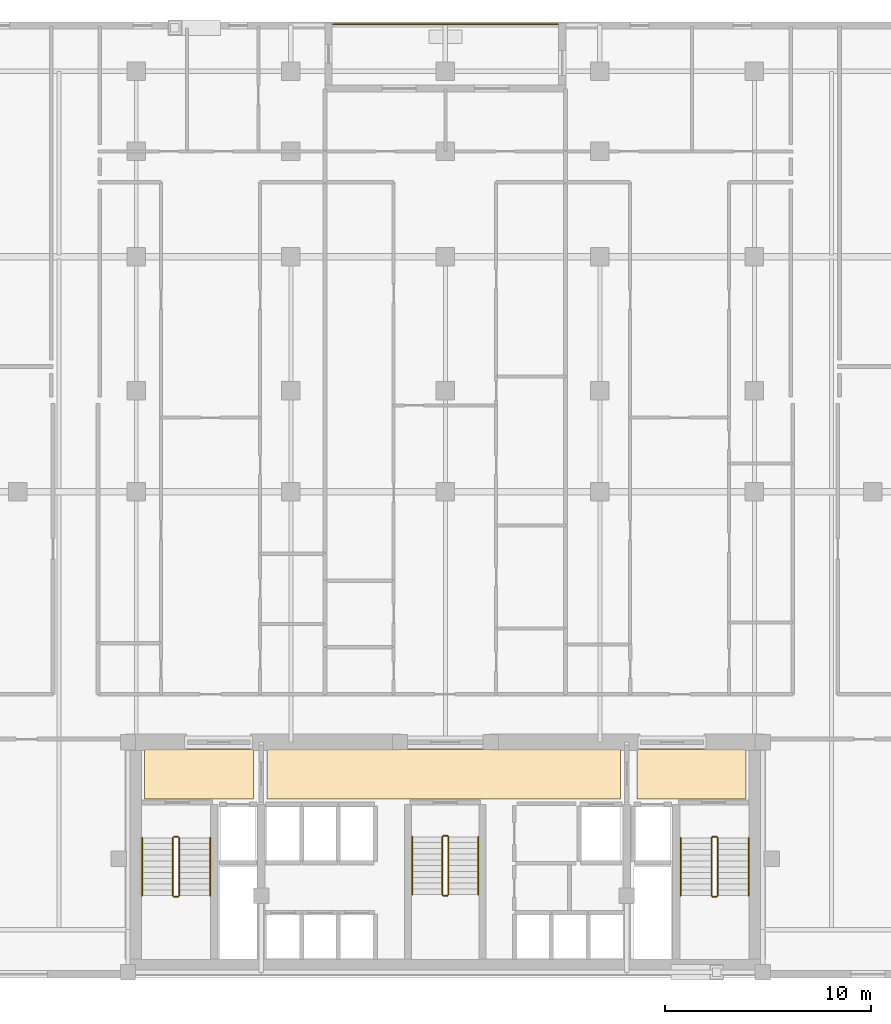
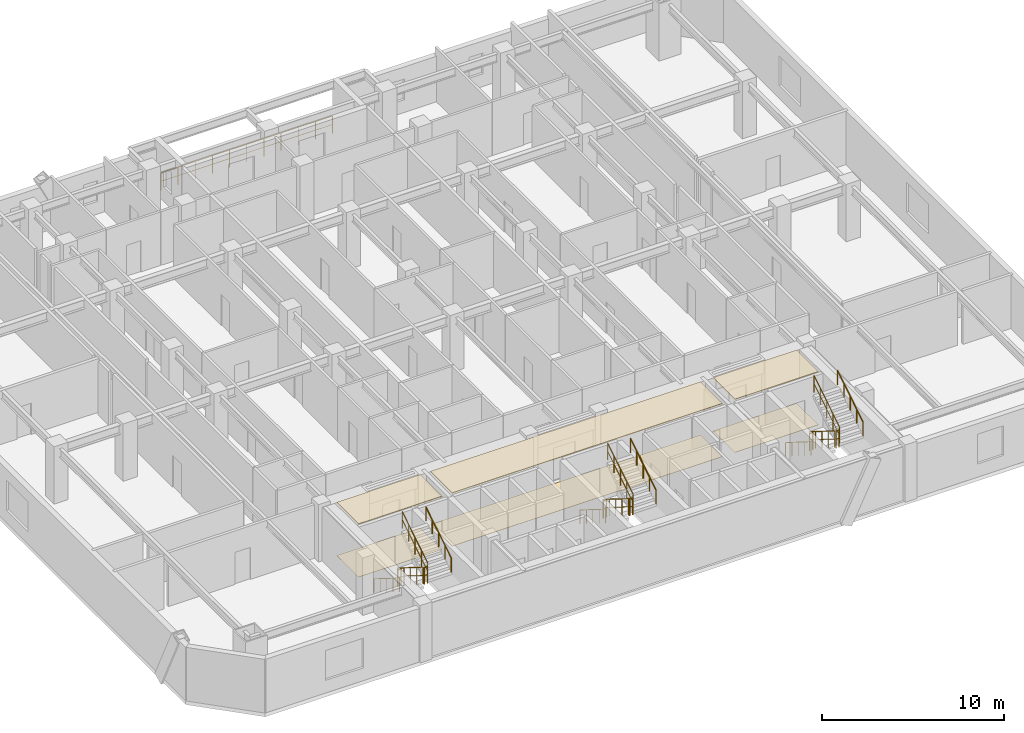
# One storey, part 9 of 9: 19 railings, 6 coverings.
"""IFC4 building model written with IfcOpenShell, lengths in metres."""

from ifc_helpers import new_model, si_unit, direction, frame, origin, origin_2d, place, context, subcontext, project, spatial, polyline, circle, outline, extrude, material, layer, layer_set, type_object, element, save


model = new_model("IFC4")

# Units and contexts
model_context = context("Model", 3, precision=1e-05, world=origin(), true_north=direction((0.0, 1.0)))
body_context = subcontext(model_context, "Body", "Model", "MODEL_VIEW")
ifc_project = project(units=[si_unit("LENGTHUNIT", "METRE"), si_unit("AREAUNIT", "SQUARE_METRE"), si_unit("VOLUMEUNIT", "CUBIC_METRE"), si_unit("PLANEANGLEUNIT", "RADIAN"), si_unit("MASSUNIT", "GRAM", prefix="KILO")], contexts=[model_context])

# Site, building, storey
site_placement = place(None, origin())
site = spatial("IfcSite", under=ifc_project, at=site_placement, CompositionType="ELEMENT")
building_placement = place(site_placement, origin())
building = spatial("IfcBuilding", under=site, at=building_placement, Name="Ventersveld Concourse Tower", CompositionType="ELEMENT")
storey_placement = place(building_placement, frame((0.0, 0.0, 52.89990234375)))
storey = spatial("IfcBuildingStorey", under=building, at=storey_placement, Name="L12", CompositionType="ELEMENT", Elevation=52.89990234375)

# Coverings
ifc_material_1 = material(Name="Mineral-fibre acoustic ceiling tile", Category="gypsum")
ifc_layer_1 = layer(ifc_material_1, 0.0400390625)
ifc_layer_set_1 = layer_set([ifc_layer_1], Name="Mineral-fibre acoustic ceiling tile")
covering_type_1 = type_object("IfcCoveringType", Name="COV-CEIL-ACOUSTIC", PredefinedType="CEILING", material=ifc_layer_set_1)
covering_1_placement = place(storey_placement, frame((0.0, 0.0, 3.56005859375)))
element("IfcCovering", 1, at=covering_1_placement, inside=storey, type_object=covering_type_1, Name="L12 North Lift Lobby Acoustic Ceiling", PredefinedType="CEILING", context=body_context, shape_type="SweptSolid", body=[
    extrude(outline(polyline([(20.10009765625, 8.699951171875), (37.25, 8.699951171875), (37.25, 11.10009765625), (20.10009765625, 11.10009765625), (20.10009765625, 8.699951171875)])), origin(), (0.0, 0.0, 1.0), 0.0400390625),
])
covering_2_placement = place(storey_placement, frame((0.0, 0.0, 3.56005859375)))
element("IfcCovering", 2, at=covering_2_placement, inside=storey, type_object=covering_type_1, Name="L12 West Firefighting Lobby Acoustic Ceiling", PredefinedType="CEILING", context=body_context, shape_type="SweptSolid", body=[
    extrude(outline(polyline([(14.14990234375, 8.699951171875), (19.449951171875, 8.699951171875), (19.449951171875, 11.10009765625), (14.14990234375, 11.10009765625), (14.14990234375, 8.699951171875)])), origin(), (0.0, 0.0, 1.0), 0.0400390625),
])
covering_3_placement = place(storey_placement, frame((0.0, 0.0, 3.56005859375)))
element("IfcCovering", 3, at=covering_3_placement, inside=storey, type_object=covering_type_1, Name="L12 East Firefighting Lobby Acoustic Ceiling", PredefinedType="CEILING", context=body_context, shape_type="SweptSolid", body=[
    extrude(outline(polyline([(38.050048828125, 8.699951171875), (43.35009765625, 8.699951171875), (43.35009765625, 11.10009765625), (38.050048828125, 11.10009765625), (38.050048828125, 8.699951171875)])), origin(), (0.0, 0.0, 1.0), 0.0400390625),
])
ifc_material_2 = material(Name="Polished Highveld granite terrazzo", Category="masonry")
ifc_layer_2 = layer(ifc_material_2, 0.02001953125)
ifc_layer_set_2 = layer_set([ifc_layer_2], Name="Polished Highveld granite terrazzo")
covering_type_2 = type_object("IfcCoveringType", Name="COV-FLOOR-TERRAZZO", PredefinedType="FLOORING", material=ifc_layer_set_2)
covering_4_placement = place(storey_placement, origin())
element("IfcCovering", 4, at=covering_4_placement, inside=storey, type_object=covering_type_2, Name="L12 North Lift Lobby Terrazzo Flooring", PredefinedType="FLOORING", context=body_context, shape_type="SweptSolid", body=[
    extrude(outline(polyline([(20.10009765625, 8.699951171875), (37.25, 8.699951171875), (37.25, 11.10009765625), (20.10009765625, 11.10009765625), (20.10009765625, 8.699951171875)])), origin(), (0.0, 0.0, 1.0), 0.02001953125),
])
covering_5_placement = place(storey_placement, origin())
element("IfcCovering", 5, at=covering_5_placement, inside=storey, type_object=covering_type_2, Name="L12 West Firefighting Lobby Terrazzo Flooring", PredefinedType="FLOORING", context=body_context, shape_type="SweptSolid", body=[
    extrude(outline(polyline([(14.14990234375, 8.699951171875), (19.449951171875, 8.699951171875), (19.449951171875, 11.10009765625), (14.14990234375, 11.10009765625), (14.14990234375, 8.699951171875)])), origin(), (0.0, 0.0, 1.0), 0.02001953125),
])
covering_6_placement = place(storey_placement, origin())
element("IfcCovering", 6, at=covering_6_placement, inside=storey, type_object=covering_type_2, Name="L12 East Firefighting Lobby Terrazzo Flooring", PredefinedType="FLOORING", context=body_context, shape_type="SweptSolid", body=[
    extrude(outline(polyline([(38.050048828125, 8.699951171875), (43.35009765625, 8.699951171875), (43.35009765625, 11.10009765625), (38.050048828125, 11.10009765625), (38.050048828125, 8.699951171875)])), origin(), (0.0, 0.0, 1.0), 0.02001953125),
])

# Railings
ifc_material_3 = material(Name="Brushed stainless steel 316", Category="steel")
railing_type_1 = type_object("IfcRailingType", Name="GD-BAL-115", PredefinedType="GUARDRAIL", material=ifc_material_3)
railing_1_placement = place(storey_placement, frame((15.530029296875, 6.800048828125, 0.175048828125)))
element("IfcRailing", 7, at=railing_1_placement, inside=storey, type_object=railing_type_1, Name="L12 ST-01 stair guard 1", PredefinedType="GUARDRAIL", context=body_context, shape_type="SweptSolid", body=[
    extrude(circle(Radius=0.02392578125, at=origin_2d()), frame((0.0, 0.0, 1.1259765625), z_axis=(0.0, -0.848002457836, 0.529992293815), x_axis=(1.0, 0.0, 0.0)), (0.0, 0.0, 1.0), 3.302001953125),
    extrude(circle(Radius=0.01611328125, at=origin_2d()), frame((0.0, 0.0, 0.574951171875), z_axis=(0.0, -0.848002457836, 0.529992293815), x_axis=(1.0, 0.0, 0.0)), (0.0, 0.0, 1.0), 3.302001953125),
    extrude(circle(Radius=0.02099609375, at=origin_2d()), origin(), (0.0, 0.0, 1.0), 1.101806640625),
    extrude(circle(Radius=0.02099609375, at=origin_2d()), frame((0.0, -0.699951171875, 0.4375)), (0.0, 0.0, 1.0), 1.101806640625),
    extrude(circle(Radius=0.02099609375, at=origin_2d()), frame((0.0, -1.39990234375, 0.875)), (0.0, 0.0, 1.0), 1.101806640625),
    extrude(circle(Radius=0.02099609375, at=origin_2d()), frame((0.0, -2.10009765625, 1.3125)), (0.0, 0.0, 1.0), 1.101806640625),
    extrude(circle(Radius=0.02099609375, at=origin_2d()), frame((0.0, -2.800048828125, 1.75)), (0.0, 0.0, 1.0), 1.101806640625),
])
railing_2_placement = place(storey_placement, frame((15.580078125, 3.949951171875, 1.925048828125)))
element("IfcRailing", 8, at=railing_2_placement, inside=storey, type_object=railing_type_1, Name="L12 ST-01 stair guard 2", PredefinedType="GUARDRAIL", context=body_context, shape_type="SweptSolid", body=[
    extrude(circle(Radius=0.02392578125, at=origin_2d()), frame((0.0, 0.0, 1.1259765625), z_axis=(1.0, 0.0, 0.0), x_axis=(0.0, 1.0, 0.0)), (0.0, 0.0, 1.0), 0.199951171875),
    extrude(circle(Radius=0.01611328125, at=origin_2d()), frame((0.0, 0.0, 0.574951171875), z_axis=(1.0, 0.0, 0.0), x_axis=(0.0, 1.0, 0.0)), (0.0, 0.0, 1.0), 0.199951171875),
    extrude(circle(Radius=0.02099609375, at=origin_2d()), origin(), (0.0, 0.0, 1.0), 1.101806640625),
    extrude(circle(Radius=0.02099609375, at=origin_2d()), frame((0.199951171875, 0.0, 0.0)), (0.0, 0.0, 1.0), 1.101806640625),
])
railing_3_placement = place(storey_placement, frame((15.830078125, 4.0, 2.10009765625)))
element("IfcRailing", 9, at=railing_3_placement, inside=storey, type_object=railing_type_1, Name="L12 ST-01 stair guard 3", PredefinedType="GUARDRAIL", context=body_context, shape_type="SweptSolid", body=[
    extrude(circle(Radius=0.02392578125, at=origin_2d()), frame((0.0, 0.0, 1.1259765625), z_axis=(0.0, 0.848002457836, 0.529992293815), x_axis=(-1.0, 0.0, 0.0)), (0.0, 0.0, 1.0), 3.302001953125),
    extrude(circle(Radius=0.01611328125, at=origin_2d()), frame((0.0, 0.0, 0.574951171875), z_axis=(0.0, 0.848002457836, 0.529992293815), x_axis=(-1.0, 0.0, 0.0)), (0.0, 0.0, 1.0), 3.302001953125),
    extrude(circle(Radius=0.02099609375, at=origin_2d()), origin(), (0.0, 0.0, 1.0), 1.101806640625),
    extrude(circle(Radius=0.02099609375, at=origin_2d()), frame((0.0, 0.699951171875, 0.4375)), (0.0, 0.0, 1.0), 1.101806640625),
    extrude(circle(Radius=0.02099609375, at=origin_2d()), frame((0.0, 1.39990234375, 0.875)), (0.0, 0.0, 1.0), 1.101806640625),
    extrude(circle(Radius=0.02099609375, at=origin_2d()), frame((0.0, 2.10009765625, 1.3125)), (0.0, 0.0, 1.0), 1.101806640625),
    extrude(circle(Radius=0.02099609375, at=origin_2d()), frame((0.0, 2.800048828125, 1.75)), (0.0, 0.0, 1.0), 1.101806640625),
])
railing_4_placement = place(storey_placement, frame((15.580078125, 6.85009765625, 0.0)))
element("IfcRailing", 10, at=railing_4_placement, inside=storey, type_object=railing_type_1, Name="L12 ST-01 stair guard 4", PredefinedType="GUARDRAIL", context=body_context, shape_type="SweptSolid", body=[
    extrude(circle(Radius=0.02392578125, at=origin_2d()), frame((0.0, 0.0, 1.1259765625), z_axis=(1.0, 0.0, 0.0), x_axis=(0.0, 1.0, 0.0)), (0.0, 0.0, 1.0), 0.199951171875),
    extrude(circle(Radius=0.01611328125, at=origin_2d()), frame((0.0, 0.0, 0.574951171875), z_axis=(1.0, 0.0, 0.0), x_axis=(0.0, 1.0, 0.0)), (0.0, 0.0, 1.0), 0.199951171875),
    extrude(circle(Radius=0.02099609375, at=origin_2d()), origin(), (0.0, 0.0, 1.0), 1.101806640625),
    extrude(circle(Radius=0.02099609375, at=origin_2d()), frame((0.199951171875, 0.0, 0.0)), (0.0, 0.0, 1.0), 1.101806640625),
])
railing_5_placement = place(storey_placement, frame((41.669921875, 6.800048828125, 0.175048828125)))
element("IfcRailing", 11, at=railing_5_placement, inside=storey, type_object=railing_type_1, Name="L12 ST-02 stair guard 1", PredefinedType="GUARDRAIL", context=body_context, shape_type="SweptSolid", body=[
    extrude(circle(Radius=0.02392578125, at=origin_2d()), frame((0.0, 0.0, 1.1259765625), z_axis=(0.0, -0.848002457836, 0.529992293815), x_axis=(1.0, 0.0, 0.0)), (0.0, 0.0, 1.0), 3.302001953125),
    extrude(circle(Radius=0.01611328125, at=origin_2d()), frame((0.0, 0.0, 0.574951171875), z_axis=(0.0, -0.848002457836, 0.529992293815), x_axis=(1.0, 0.0, 0.0)), (0.0, 0.0, 1.0), 3.302001953125),
    extrude(circle(Radius=0.02099609375, at=origin_2d()), origin(), (0.0, 0.0, 1.0), 1.101806640625),
    extrude(circle(Radius=0.02099609375, at=origin_2d()), frame((0.0, -0.699951171875, 0.4375)), (0.0, 0.0, 1.0), 1.101806640625),
    extrude(circle(Radius=0.02099609375, at=origin_2d()), frame((0.0, -1.39990234375, 0.875)), (0.0, 0.0, 1.0), 1.101806640625),
    extrude(circle(Radius=0.02099609375, at=origin_2d()), frame((0.0, -2.10009765625, 1.3125)), (0.0, 0.0, 1.0), 1.101806640625),
    extrude(circle(Radius=0.02099609375, at=origin_2d()), frame((0.0, -2.800048828125, 1.75)), (0.0, 0.0, 1.0), 1.101806640625),
])
railing_6_placement = place(storey_placement, frame((41.719970703125, 3.949951171875, 1.925048828125)))
element("IfcRailing", 12, at=railing_6_placement, inside=storey, type_object=railing_type_1, Name="L12 ST-02 stair guard 2", PredefinedType="GUARDRAIL", context=body_context, shape_type="SweptSolid", body=[
    extrude(circle(Radius=0.02392578125, at=origin_2d()), frame((0.0, 0.0, 1.1259765625), z_axis=(1.0, 0.0, 0.0), x_axis=(0.0, 1.0, 0.0)), (0.0, 0.0, 1.0), 0.199951171875),
    extrude(circle(Radius=0.01611328125, at=origin_2d()), frame((0.0, 0.0, 0.574951171875), z_axis=(1.0, 0.0, 0.0), x_axis=(0.0, 1.0, 0.0)), (0.0, 0.0, 1.0), 0.199951171875),
    extrude(circle(Radius=0.02099609375, at=origin_2d()), origin(), (0.0, 0.0, 1.0), 1.101806640625),
    extrude(circle(Radius=0.02099609375, at=origin_2d()), frame((0.199951171875, 0.0, 0.0)), (0.0, 0.0, 1.0), 1.101806640625),
])
railing_7_placement = place(storey_placement, frame((41.969970703125, 4.0, 2.10009765625)))
element("IfcRailing", 13, at=railing_7_placement, inside=storey, type_object=railing_type_1, Name="L12 ST-02 stair guard 3", PredefinedType="GUARDRAIL", context=body_context, shape_type="SweptSolid", body=[
    extrude(circle(Radius=0.02392578125, at=origin_2d()), frame((0.0, 0.0, 1.1259765625), z_axis=(0.0, 0.848002457836, 0.529992293815), x_axis=(-1.0, 0.0, 0.0)), (0.0, 0.0, 1.0), 3.302001953125),
    extrude(circle(Radius=0.01611328125, at=origin_2d()), frame((0.0, 0.0, 0.574951171875), z_axis=(0.0, 0.848002457836, 0.529992293815), x_axis=(-1.0, 0.0, 0.0)), (0.0, 0.0, 1.0), 3.302001953125),
    extrude(circle(Radius=0.02099609375, at=origin_2d()), origin(), (0.0, 0.0, 1.0), 1.101806640625),
    extrude(circle(Radius=0.02099609375, at=origin_2d()), frame((0.0, 0.699951171875, 0.4375)), (0.0, 0.0, 1.0), 1.101806640625),
    extrude(circle(Radius=0.02099609375, at=origin_2d()), frame((0.0, 1.39990234375, 0.875)), (0.0, 0.0, 1.0), 1.101806640625),
    extrude(circle(Radius=0.02099609375, at=origin_2d()), frame((0.0, 2.10009765625, 1.3125)), (0.0, 0.0, 1.0), 1.101806640625),
    extrude(circle(Radius=0.02099609375, at=origin_2d()), frame((0.0, 2.800048828125, 1.75)), (0.0, 0.0, 1.0), 1.101806640625),
])
railing_8_placement = place(storey_placement, frame((41.719970703125, 6.85009765625, 0.0)))
element("IfcRailing", 14, at=railing_8_placement, inside=storey, type_object=railing_type_1, Name="L12 ST-02 stair guard 4", PredefinedType="GUARDRAIL", context=body_context, shape_type="SweptSolid", body=[
    extrude(circle(Radius=0.02392578125, at=origin_2d()), frame((0.0, 0.0, 1.1259765625), z_axis=(1.0, 0.0, 0.0), x_axis=(0.0, 1.0, 0.0)), (0.0, 0.0, 1.0), 0.199951171875),
    extrude(circle(Radius=0.01611328125, at=origin_2d()), frame((0.0, 0.0, 0.574951171875), z_axis=(1.0, 0.0, 0.0), x_axis=(0.0, 1.0, 0.0)), (0.0, 0.0, 1.0), 0.199951171875),
    extrude(circle(Radius=0.02099609375, at=origin_2d()), origin(), (0.0, 0.0, 1.0), 1.101806640625),
    extrude(circle(Radius=0.02099609375, at=origin_2d()), frame((0.199951171875, 0.0, 0.0)), (0.0, 0.0, 1.0), 1.101806640625),
])
railing_9_placement = place(storey_placement, frame((28.60009765625, 6.85009765625, 0.175048828125)))
element("IfcRailing", 15, at=railing_9_placement, inside=storey, type_object=railing_type_1, Name="L12 ST-03 stair guard 1", PredefinedType="GUARDRAIL", context=body_context, shape_type="SweptSolid", body=[
    extrude(circle(Radius=0.02392578125, at=origin_2d()), frame((0.0, 0.0, 1.1259765625), z_axis=(0.0, -0.848002457836, 0.529992293815), x_axis=(1.0, 0.0, 0.0)), (0.0, 0.0, 1.0), 3.302001953125),
    extrude(circle(Radius=0.01611328125, at=origin_2d()), frame((0.0, 0.0, 0.574951171875), z_axis=(0.0, -0.848002457836, 0.529992293815), x_axis=(1.0, 0.0, 0.0)), (0.0, 0.0, 1.0), 3.302001953125),
    extrude(circle(Radius=0.02099609375, at=origin_2d()), origin(), (0.0, 0.0, 1.0), 1.101806640625),
    extrude(circle(Radius=0.02099609375, at=origin_2d()), frame((0.0, -0.699951171875, 0.4375)), (0.0, 0.0, 1.0), 1.101806640625),
    extrude(circle(Radius=0.02099609375, at=origin_2d()), frame((0.0, -1.39990234375, 0.875)), (0.0, 0.0, 1.0), 1.101806640625),
    extrude(circle(Radius=0.02099609375, at=origin_2d()), frame((0.0, -2.10009765625, 1.3125)), (0.0, 0.0, 1.0), 1.101806640625),
    extrude(circle(Radius=0.02099609375, at=origin_2d()), frame((0.0, -2.800048828125, 1.75)), (0.0, 0.0, 1.0), 1.101806640625),
])
railing_10_placement = place(storey_placement, frame((28.64990234375, 4.0, 1.925048828125)))
element("IfcRailing", 16, at=railing_10_placement, inside=storey, type_object=railing_type_1, Name="L12 ST-03 stair guard 2", PredefinedType="GUARDRAIL", context=body_context, shape_type="SweptSolid", body=[
    extrude(circle(Radius=0.02392578125, at=origin_2d()), frame((0.0, 0.0, 1.1259765625), z_axis=(1.0, 0.0, 0.0), x_axis=(0.0, 1.0, 0.0)), (0.0, 0.0, 1.0), 0.2001953125),
    extrude(circle(Radius=0.01611328125, at=origin_2d()), frame((0.0, 0.0, 0.574951171875), z_axis=(1.0, 0.0, 0.0), x_axis=(0.0, 1.0, 0.0)), (0.0, 0.0, 1.0), 0.2001953125),
    extrude(circle(Radius=0.02099609375, at=origin_2d()), origin(), (0.0, 0.0, 1.0), 1.101806640625),
    extrude(circle(Radius=0.02099609375, at=origin_2d()), frame((0.2001953125, 0.0, 0.0)), (0.0, 0.0, 1.0), 1.101806640625),
])
railing_11_placement = place(storey_placement, frame((28.89990234375, 4.050048828125, 2.10009765625)))
element("IfcRailing", 17, at=railing_11_placement, inside=storey, type_object=railing_type_1, Name="L12 ST-03 stair guard 3", PredefinedType="GUARDRAIL", context=body_context, shape_type="SweptSolid", body=[
    extrude(circle(Radius=0.02392578125, at=origin_2d()), frame((0.0, 0.0, 1.1259765625), z_axis=(0.0, 0.848002457836, 0.529992293815), x_axis=(-1.0, 0.0, 0.0)), (0.0, 0.0, 1.0), 3.302001953125),
    extrude(circle(Radius=0.01611328125, at=origin_2d()), frame((0.0, 0.0, 0.574951171875), z_axis=(0.0, 0.848002457836, 0.529992293815), x_axis=(-1.0, 0.0, 0.0)), (0.0, 0.0, 1.0), 3.302001953125),
    extrude(circle(Radius=0.02099609375, at=origin_2d()), origin(), (0.0, 0.0, 1.0), 1.101806640625),
    extrude(circle(Radius=0.02099609375, at=origin_2d()), frame((0.0, 0.699951171875, 0.4375)), (0.0, 0.0, 1.0), 1.101806640625),
    extrude(circle(Radius=0.02099609375, at=origin_2d()), frame((0.0, 1.39990234375, 0.875)), (0.0, 0.0, 1.0), 1.101806640625),
    extrude(circle(Radius=0.02099609375, at=origin_2d()), frame((0.0, 2.10009765625, 1.3125)), (0.0, 0.0, 1.0), 1.101806640625),
    extrude(circle(Radius=0.02099609375, at=origin_2d()), frame((0.0, 2.800048828125, 1.75)), (0.0, 0.0, 1.0), 1.101806640625),
])
railing_12_placement = place(storey_placement, frame((28.64990234375, 6.89990234375, 0.0)))
element("IfcRailing", 18, at=railing_12_placement, inside=storey, type_object=railing_type_1, Name="L12 ST-03 stair guard 4", PredefinedType="GUARDRAIL", context=body_context, shape_type="SweptSolid", body=[
    extrude(circle(Radius=0.02392578125, at=origin_2d()), frame((0.0, 0.0, 1.1259765625), z_axis=(1.0, 0.0, 0.0), x_axis=(0.0, 1.0, 0.0)), (0.0, 0.0, 1.0), 0.2001953125),
    extrude(circle(Radius=0.01611328125, at=origin_2d()), frame((0.0, 0.0, 0.574951171875), z_axis=(1.0, 0.0, 0.0), x_axis=(0.0, 1.0, 0.0)), (0.0, 0.0, 1.0), 0.2001953125),
    extrude(circle(Radius=0.02099609375, at=origin_2d()), origin(), (0.0, 0.0, 1.0), 1.101806640625),
    extrude(circle(Radius=0.02099609375, at=origin_2d()), frame((0.2001953125, 0.0, 0.0)), (0.0, 0.0, 1.0), 1.101806640625),
])
railing_type_2 = type_object("IfcRailingType", Name="GD-TER-120", PredefinedType="GUARDRAIL", material=ifc_material_3)
railing_13_placement = place(storey_placement, frame((23.300048828125, 46.280029296875, 0.0)))
element("IfcRailing", 19, at=railing_13_placement, inside=storey, type_object=railing_type_2, Name="L12 Outdoor Terrace Guardrail NOTCH-N", PredefinedType="GUARDRAIL", context=body_context, shape_type="SweptSolid", body=[
    extrude(circle(Radius=0.02392578125, at=origin_2d()), frame((0.0, 0.0, 1.17578125), z_axis=(1.0, 0.0, 0.0), x_axis=(0.0, 1.0, 0.0)), (0.0, 0.0, 1.0), 10.89990234375),
    extrude(circle(Radius=0.01611328125, at=origin_2d()), frame((0.0, 0.0, 0.60009765625), z_axis=(1.0, 0.0, 0.0), x_axis=(0.0, 1.0, 0.0)), (0.0, 0.0, 1.0), 10.89990234375),
    extrude(circle(Radius=0.02099609375, at=origin_2d()), origin(), (0.0, 0.0, 1.0), 1.15185546875),
    extrude(circle(Radius=0.02099609375, at=origin_2d()), frame((1.090087890625, 0.0, 0.0)), (0.0, 0.0, 1.0), 1.15185546875),
    extrude(circle(Radius=0.02099609375, at=origin_2d()), frame((2.179931640625, 0.0, 0.0)), (0.0, 0.0, 1.0), 1.15185546875),
    extrude(circle(Radius=0.02099609375, at=origin_2d()), frame((3.27001953125, 0.0, 0.0)), (0.0, 0.0, 1.0), 1.15185546875),
    extrude(circle(Radius=0.02099609375, at=origin_2d()), frame((4.35986328125, 0.0, 0.0)), (0.0, 0.0, 1.0), 1.15185546875),
    extrude(circle(Radius=0.02099609375, at=origin_2d()), frame((5.449951171875, 0.0, 0.0)), (0.0, 0.0, 1.0), 1.15185546875),
    extrude(circle(Radius=0.02099609375, at=origin_2d()), frame((6.5400390625, 0.0, 0.0)), (0.0, 0.0, 1.0), 1.15185546875),
    extrude(circle(Radius=0.02099609375, at=origin_2d()), frame((7.6298828125, 0.0, 0.0)), (0.0, 0.0, 1.0), 1.15185546875),
    extrude(circle(Radius=0.02099609375, at=origin_2d()), frame((8.719970703125, 0.0, 0.0)), (0.0, 0.0, 1.0), 1.15185546875),
    extrude(circle(Radius=0.02099609375, at=origin_2d()), frame((9.809814453125, 0.0, 0.0)), (0.0, 0.0, 1.0), 1.15185546875),
    extrude(circle(Radius=0.02099609375, at=origin_2d()), frame((10.89990234375, 0.0, 0.0)), (0.0, 0.0, 1.0), 1.15185546875),
])
railing_type_3 = type_object("IfcRailingType", Name="HR-RMP-095", PredefinedType="HANDRAIL", material=ifc_material_3)
railing_14_placement = place(storey_placement, frame((14.030029296875, 6.800048828125, 0.175048828125)))
element("IfcRailing", 20, at=railing_14_placement, inside=storey, type_object=railing_type_3, Name="L12 ST-01 stair handrail 1", PredefinedType="HANDRAIL", context=body_context, shape_type="SweptSolid", body=[
    extrude(circle(Radius=0.02392578125, at=origin_2d()), frame((0.0, 0.0, 0.92578125), z_axis=(0.0, -0.848002457836, 0.529992293815), x_axis=(1.0, 0.0, 0.0)), (0.0, 0.0, 1.0), 3.302001953125),
    extrude(circle(Radius=0.02099609375, at=origin_2d()), origin(), (0.0, 0.0, 1.0), 0.90185546875),
    extrude(circle(Radius=0.02099609375, at=origin_2d()), frame((0.0, -0.699951171875, 0.4375)), (0.0, 0.0, 1.0), 0.90185546875),
    extrude(circle(Radius=0.02099609375, at=origin_2d()), frame((0.0, -1.39990234375, 0.875)), (0.0, 0.0, 1.0), 0.90185546875),
    extrude(circle(Radius=0.02099609375, at=origin_2d()), frame((0.0, -2.10009765625, 1.3125)), (0.0, 0.0, 1.0), 0.90185546875),
    extrude(circle(Radius=0.02099609375, at=origin_2d()), frame((0.0, -2.800048828125, 1.75)), (0.0, 0.0, 1.0), 0.90185546875),
])
railing_15_placement = place(storey_placement, frame((17.330078125, 4.0, 2.10009765625)))
element("IfcRailing", 21, at=railing_15_placement, inside=storey, type_object=railing_type_3, Name="L12 ST-01 stair handrail 2", PredefinedType="HANDRAIL", context=body_context, shape_type="SweptSolid", body=[
    extrude(circle(Radius=0.02392578125, at=origin_2d()), frame((0.0, 0.0, 0.92578125), z_axis=(0.0, 0.848002457836, 0.529992293815), x_axis=(-1.0, 0.0, 0.0)), (0.0, 0.0, 1.0), 3.302001953125),
    extrude(circle(Radius=0.02099609375, at=origin_2d()), origin(), (0.0, 0.0, 1.0), 0.90185546875),
    extrude(circle(Radius=0.02099609375, at=origin_2d()), frame((0.0, 0.699951171875, 0.4375)), (0.0, 0.0, 1.0), 0.90185546875),
    extrude(circle(Radius=0.02099609375, at=origin_2d()), frame((0.0, 1.39990234375, 0.875)), (0.0, 0.0, 1.0), 0.90185546875),
    extrude(circle(Radius=0.02099609375, at=origin_2d()), frame((0.0, 2.10009765625, 1.3125)), (0.0, 0.0, 1.0), 0.90185546875),
    extrude(circle(Radius=0.02099609375, at=origin_2d()), frame((0.0, 2.800048828125, 1.75)), (0.0, 0.0, 1.0), 0.90185546875),
])
railing_16_placement = place(storey_placement, frame((40.169921875, 6.800048828125, 0.175048828125)))
element("IfcRailing", 22, at=railing_16_placement, inside=storey, type_object=railing_type_3, Name="L12 ST-02 stair handrail 1", PredefinedType="HANDRAIL", context=body_context, shape_type="SweptSolid", body=[
    extrude(circle(Radius=0.02392578125, at=origin_2d()), frame((0.0, 0.0, 0.92578125), z_axis=(0.0, -0.848002457836, 0.529992293815), x_axis=(1.0, 0.0, 0.0)), (0.0, 0.0, 1.0), 3.302001953125),
    extrude(circle(Radius=0.02099609375, at=origin_2d()), origin(), (0.0, 0.0, 1.0), 0.90185546875),
    extrude(circle(Radius=0.02099609375, at=origin_2d()), frame((0.0, -0.699951171875, 0.4375)), (0.0, 0.0, 1.0), 0.90185546875),
    extrude(circle(Radius=0.02099609375, at=origin_2d()), frame((0.0, -1.39990234375, 0.875)), (0.0, 0.0, 1.0), 0.90185546875),
    extrude(circle(Radius=0.02099609375, at=origin_2d()), frame((0.0, -2.10009765625, 1.3125)), (0.0, 0.0, 1.0), 0.90185546875),
    extrude(circle(Radius=0.02099609375, at=origin_2d()), frame((0.0, -2.800048828125, 1.75)), (0.0, 0.0, 1.0), 0.90185546875),
])
railing_17_placement = place(storey_placement, frame((43.469970703125, 4.0, 2.10009765625)))
element("IfcRailing", 23, at=railing_17_placement, inside=storey, type_object=railing_type_3, Name="L12 ST-02 stair handrail 2", PredefinedType="HANDRAIL", context=body_context, shape_type="SweptSolid", body=[
    extrude(circle(Radius=0.02392578125, at=origin_2d()), frame((0.0, 0.0, 0.92578125), z_axis=(0.0, 0.848002457836, 0.529992293815), x_axis=(-1.0, 0.0, 0.0)), (0.0, 0.0, 1.0), 3.302001953125),
    extrude(circle(Radius=0.02099609375, at=origin_2d()), origin(), (0.0, 0.0, 1.0), 0.90185546875),
    extrude(circle(Radius=0.02099609375, at=origin_2d()), frame((0.0, 0.699951171875, 0.4375)), (0.0, 0.0, 1.0), 0.90185546875),
    extrude(circle(Radius=0.02099609375, at=origin_2d()), frame((0.0, 1.39990234375, 0.875)), (0.0, 0.0, 1.0), 0.90185546875),
    extrude(circle(Radius=0.02099609375, at=origin_2d()), frame((0.0, 2.10009765625, 1.3125)), (0.0, 0.0, 1.0), 0.90185546875),
    extrude(circle(Radius=0.02099609375, at=origin_2d()), frame((0.0, 2.800048828125, 1.75)), (0.0, 0.0, 1.0), 0.90185546875),
])
railing_18_placement = place(storey_placement, frame((27.14990234375, 6.85009765625, 0.175048828125)))
element("IfcRailing", 24, at=railing_18_placement, inside=storey, type_object=railing_type_3, Name="L12 ST-03 stair handrail 1", PredefinedType="HANDRAIL", context=body_context, shape_type="SweptSolid", body=[
    extrude(circle(Radius=0.02392578125, at=origin_2d()), frame((0.0, 0.0, 0.92578125), z_axis=(0.0, -0.848002457836, 0.529992293815), x_axis=(1.0, 0.0, 0.0)), (0.0, 0.0, 1.0), 3.302001953125),
    extrude(circle(Radius=0.02099609375, at=origin_2d()), origin(), (0.0, 0.0, 1.0), 0.90185546875),
    extrude(circle(Radius=0.02099609375, at=origin_2d()), frame((0.0, -0.699951171875, 0.4375)), (0.0, 0.0, 1.0), 0.90185546875),
    extrude(circle(Radius=0.02099609375, at=origin_2d()), frame((0.0, -1.39990234375, 0.875)), (0.0, 0.0, 1.0), 0.90185546875),
    extrude(circle(Radius=0.02099609375, at=origin_2d()), frame((0.0, -2.10009765625, 1.3125)), (0.0, 0.0, 1.0), 0.90185546875),
    extrude(circle(Radius=0.02099609375, at=origin_2d()), frame((0.0, -2.800048828125, 1.75)), (0.0, 0.0, 1.0), 0.90185546875),
])
railing_19_placement = place(storey_placement, frame((30.35009765625, 4.050048828125, 2.10009765625)))
element("IfcRailing", 25, at=railing_19_placement, inside=storey, type_object=railing_type_3, Name="L12 ST-03 stair handrail 2", PredefinedType="HANDRAIL", context=body_context, shape_type="SweptSolid", body=[
    extrude(circle(Radius=0.02392578125, at=origin_2d()), frame((0.0, 0.0, 0.92578125), z_axis=(0.0, 0.848002457836, 0.529992293815), x_axis=(-1.0, 0.0, 0.0)), (0.0, 0.0, 1.0), 3.302001953125),
    extrude(circle(Radius=0.02099609375, at=origin_2d()), origin(), (0.0, 0.0, 1.0), 0.90185546875),
    extrude(circle(Radius=0.02099609375, at=origin_2d()), frame((0.0, 0.699951171875, 0.4375)), (0.0, 0.0, 1.0), 0.90185546875),
    extrude(circle(Radius=0.02099609375, at=origin_2d()), frame((0.0, 1.39990234375, 0.875)), (0.0, 0.0, 1.0), 0.90185546875),
    extrude(circle(Radius=0.02099609375, at=origin_2d()), frame((0.0, 2.10009765625, 1.3125)), (0.0, 0.0, 1.0), 0.90185546875),
    extrude(circle(Radius=0.02099609375, at=origin_2d()), frame((0.0, 2.800048828125, 1.75)), (0.0, 0.0, 1.0), 0.90185546875),
])

save(model, "model.ifc")
